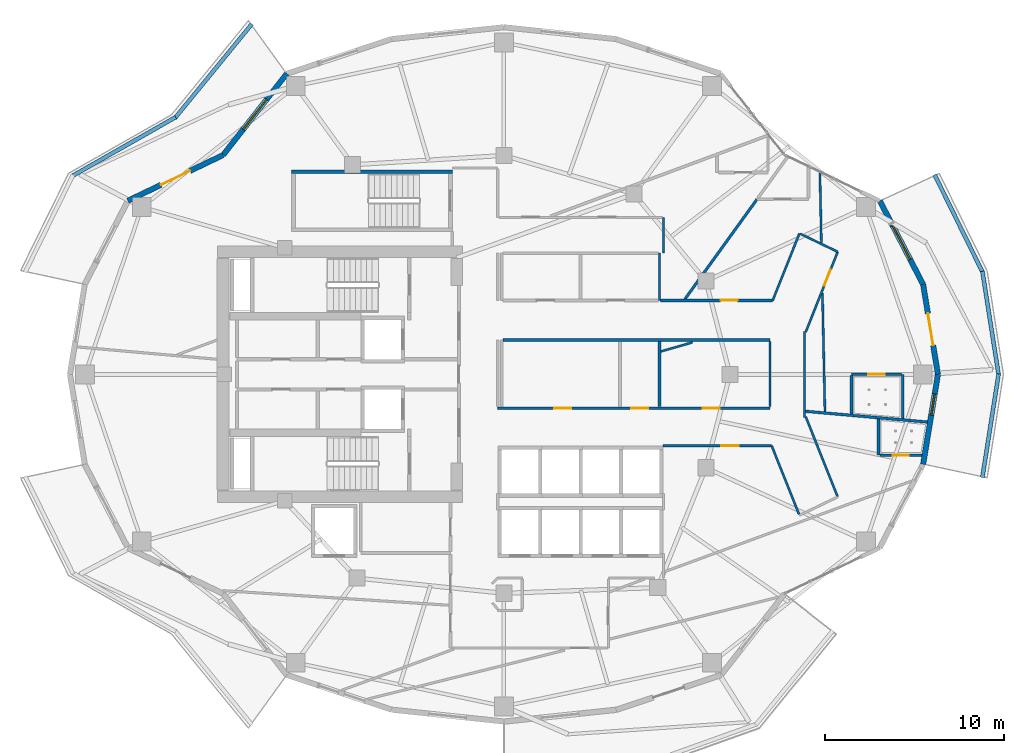
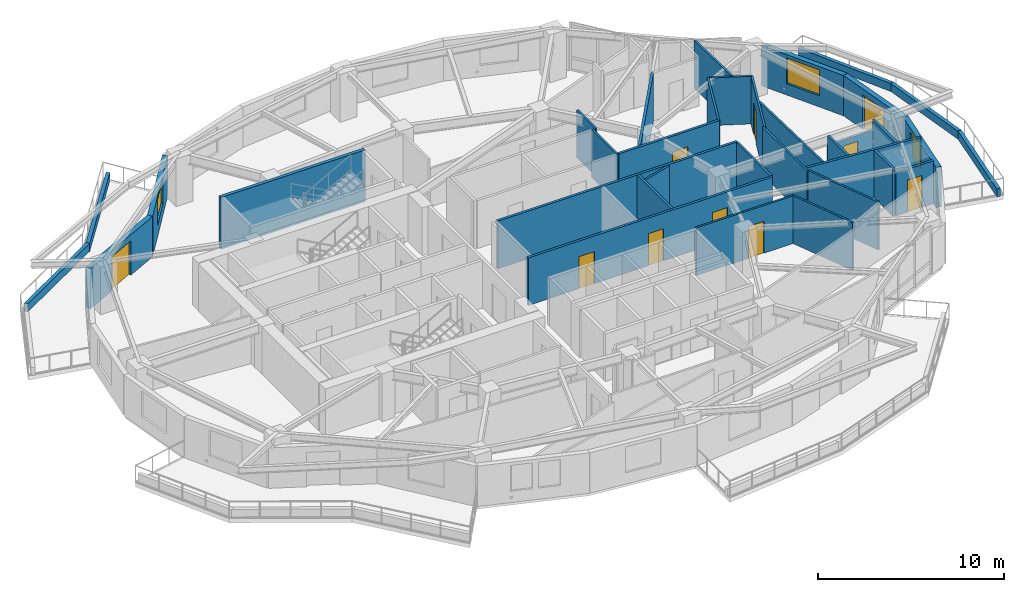
# One storey, part 9 of 15: 35 walls, 10 doors, 3 windows, 13 openings.
"""IFC4 building model written with IfcOpenShell, lengths in metres."""

from ifc_helpers import new_model, si_unit, direction, frame, frame_2d, origin, place, context, subcontext, project, spatial, rectangle, extrude, material, layer, layer_set, type_object, element, fill, save


model = new_model("IFC4")

# Units and contexts
model_context = context("Model", 3, precision=1e-05, world=origin(), true_north=direction((0.0, 1.0)))
body_context = subcontext(model_context, "Body", "Model", "MODEL_VIEW")
ifc_project = project(units=[si_unit("LENGTHUNIT", "METRE"), si_unit("AREAUNIT", "SQUARE_METRE"), si_unit("VOLUMEUNIT", "CUBIC_METRE"), si_unit("PLANEANGLEUNIT", "RADIAN"), si_unit("MASSUNIT", "GRAM", prefix="KILO")], contexts=[model_context])

# Site, building, storey
site_placement = place(None, origin())
site = spatial("IfcSite", under=ifc_project, at=site_placement, CompositionType="ELEMENT")
building_placement = place(site_placement, origin())
building = spatial("IfcBuilding", under=site, at=building_placement, Name="Kolvaren Gate Tower and Convention Centre", CompositionType="ELEMENT")
storey_placement = place(building_placement, frame((0.0, 0.0, 129.10009765625)))
storey = spatial("IfcBuildingStorey", under=building, at=storey_placement, Name="L32", CompositionType="ELEMENT", Elevation=129.10009765625)

# Walls
ifc_material_1 = material(Name="Fire-Rated Acoustic Gypsum Stud Partition", Category="gypsum")
ifc_layer_1 = layer(ifc_material_1, 0.1201171875)
ifc_layer_set_1 = layer_set([ifc_layer_1], Name="Fire-Rated Acoustic Gypsum Stud Partition")
wall_type_1 = type_object("IfcWallType", Name="ARCH-WL-PART-120", PredefinedType="PARTITIONING", material=ifc_layer_set_1)
wall_1_placement = place(storey_placement, frame((38.800048828125, 31.1201171875, 0.0), z_axis=(0.0, 0.0, 1.0), x_axis=(0.0, 1.0, 0.0)))
element("IfcWall", 1, at=wall_1_placement, inside=storey, type_object=wall_type_1, Name="Interior Partition WL-L32-INT-018", PredefinedType="PARTITIONING", context=body_context, shape_type="SweptSolid", body=[
    extrude(rectangle(XDim=2.6298828125, YDim=0.1201171875, at=frame_2d((1.31494140625, 0.0))), origin(), (0.0, 0.0, 1.0), 3.1298828125),
])
wall_2_placement = place(storey_placement, frame((39.02001953125, 33.75, 0.0), z_axis=(0.0, 0.0, 1.0), x_axis=(0.0, 1.0, 0.0)))
element("IfcWall", 2, at=wall_2_placement, inside=storey, type_object=wall_type_1, Name="Interior Partition WL-L32-INT-023", PredefinedType="PARTITIONING", context=body_context, shape_type="SweptSolid", body=[
    extrude(rectangle(XDim=2.0, YDim=0.1201171875, at=frame_2d((1.0, 0.0))), origin(), (0.0, 0.0, 1.0), 3.1298828125),
])
wall_3_placement = place(storey_placement, frame((45.10595703125, 31.1201171875, 0.0), z_axis=(0.0, 0.0, 1.0), x_axis=(0.370123465787, 0.928982572535, 0.0)))
element("IfcWall", 3, at=wall_3_placement, inside=storey, type_object=wall_type_1, Name="Interior Partition WL-L32-INT-035", PredefinedType="PARTITIONING", context=body_context, shape_type="SweptSolid", body=[
    extrude(rectangle(XDim=4.020263671875, YDim=0.1201171875, at=frame_2d((2.01025390625, 0.0))), origin(), (0.0, 0.0, 1.0), 3.1298828125),
])
wall_4_placement = place(storey_placement, frame((46.64990234375, 34.828125, 0.0), z_axis=(0.0, 0.0, 1.0), x_axis=(0.901271525254, -0.433254703109, 0.0)))
element("IfcWall", 4, at=wall_4_placement, inside=storey, type_object=wall_type_1, Name="Interior Partition WL-L32-INT-036", PredefinedType="PARTITIONING", context=body_context, shape_type="SweptSolid", body=[
    extrude(rectangle(XDim=2.3037109375, YDim=0.1201171875, at=frame_2d((1.15185546875, 0.0))), origin(), (0.0, 0.0, 1.0), 3.1298828125),
])

# Wall, opening, door
wall_5_placement = place(storey_placement, frame((46.946044921875, 29.363037109375, 0.0), z_axis=(0.0, 0.0, 1.0), x_axis=(0.370173596818, 0.928962597858, 0.0)))
wall_5 = element("IfcWall", 5, at=wall_5_placement, inside=storey, type_object=wall_type_1, Name="Interior Partition WL-L32-INT-037", PredefinedType="PARTITIONING", context=body_context, shape_type="SweptSolid", body=[
    extrude(rectangle(XDim=4.80859375, YDim=0.1201171875, at=frame_2d((2.404296875, 0.0))), origin(), (0.0, 0.0, 1.0), 3.1298828125),
])
opening_1_placement = place(wall_5_placement, frame((2.788330078125, 0.0, 0.0)))
opening_1 = element("IfcOpeningElement", 6, at=opening_1_placement, cuts=wall_5, Name="Opening DR-01", PredefinedType="OPENING", context=body_context, shape_type="SweptSolid", body=[
    extrude(rectangle(XDim=0.949951171875, YDim=2.10009765625, at=frame_2d((0.47509765625, 1.050048828125))), frame((0.0, 0.070068359375, 0.0), z_axis=(0.0, -1.0, 0.0), x_axis=(1.0, 0.0, 0.0)), (0.0, 0.0, 1.0), 0.14013671875),
])
ifc_material_2 = material(Name="Painted Architectural Steelwork ASTM A500 Grade C 345 MPa", Category="steel")
door_type_1 = type_object("IfcDoorType", Name="ARCH-DR-RISER-950", OperationType="SINGLE_SWING_RIGHT", PredefinedType="DOOR", material=ifc_material_2)
door_1_placement = place(opening_1_placement, origin())
door_1 = element("IfcDoor", 7, at=door_1_placement, inside=storey, type_object=door_type_1, Name="Hotel Guest Room (HTL-L32-07) Door", OperationType="SINGLE_SWING_LEFT", OverallHeight=2.10009765625, OverallWidth=0.949951171875, PredefinedType="DOOR", context=body_context, shape_type="SweptSolid", body=[
    extrude(rectangle(XDim=0.949951171875, YDim=2.10009765625, at=frame_2d((0.47509765625, 1.050048828125))), frame((0.0, 0.02490234375, 0.0), z_axis=(0.0, -1.0, 0.0), x_axis=(1.0, 0.0, 0.0)), (0.0, 0.0, 1.0), 0.050048828125),
])
fill(opening_1, door_1)

# Walls
wall_6_placement = place(storey_placement, frame((46.8701171875, 24.60595703125, 0.0), z_axis=(0.0, 0.0, 1.0), x_axis=(0.0, 1.0, 0.0)))
element("IfcWall", 8, at=wall_6_placement, inside=storey, type_object=wall_type_1, Name="Interior Partition WL-L32-INT-038", PredefinedType="PARTITIONING", context=body_context, shape_type="SweptSolid", body=[
    extrude(rectangle(XDim=4.7880859375, YDim=0.1201171875, at=frame_2d((2.39404296875, 0.0))), origin(), (0.0, 0.0, 1.0), 3.1298828125),
])
wall_7_placement = place(storey_placement, frame((46.946044921875, 24.636962890625, 0.0), z_axis=(0.0, 0.0, 1.0), x_axis=(0.370173596818, -0.928962597858, 0.0)))
element("IfcWall", 9, at=wall_7_placement, inside=storey, type_object=wall_type_1, Name="Interior Partition WL-L32-INT-039", PredefinedType="PARTITIONING", context=body_context, shape_type="SweptSolid", body=[
    extrude(rectangle(XDim=4.80859375, YDim=0.1201171875, at=frame_2d((2.404296875, 0.0))), origin(), (0.0, 0.0, 1.0), 3.1298828125),
])
wall_8_placement = place(storey_placement, frame((45.050048828125, 23.02001953125, 0.0), z_axis=(0.0, 0.0, 1.0), x_axis=(0.370140626192, -0.928975735335, 0.0)))
element("IfcWall", 10, at=wall_8_placement, inside=storey, type_object=wall_type_1, Name="Interior Partition WL-L32-INT-041", PredefinedType="PARTITIONING", context=body_context, shape_type="SweptSolid", body=[
    extrude(rectangle(XDim=4.109130859375, YDim=0.1201171875, at=frame_2d((2.0546875, 0.0))), origin(), (0.0, 0.0, 1.0), 3.1298828125),
])

# Wall, opening, door
wall_9_placement = place(storey_placement, frame((39.0, 23.02001953125, 0.0), z_axis=(0.0, 0.0, 1.0), x_axis=(1.0, 0.0, 0.0)))
wall_9 = element("IfcWall", 11, at=wall_9_placement, inside=storey, type_object=wall_type_1, Name="Interior Partition WL-L32-INT-042", PredefinedType="PARTITIONING", context=body_context, shape_type="SweptSolid", body=[
    extrude(rectangle(XDim=6.050048828125, YDim=0.1201171875, at=frame_2d((3.02490234375, 0.0))), origin(), (0.0, 0.0, 1.0), 3.1298828125),
])
opening_2_placement = place(wall_9_placement, frame((3.25, 0.0, 0.0)))
opening_2 = element("IfcOpeningElement", 12, at=opening_2_placement, cuts=wall_9, Name="Opening DR-01", PredefinedType="OPENING", context=body_context, shape_type="SweptSolid", body=[
    extrude(rectangle(XDim=0.949951171875, YDim=2.10009765625, at=frame_2d((0.47509765625, 1.050048828125))), frame((0.0, 0.070068359375, 0.0), z_axis=(0.0, -1.0, 0.0), x_axis=(1.0, 0.0, 0.0)), (0.0, 0.0, 1.0), 0.14013671875),
])
door_2_placement = place(opening_2_placement, origin())
door_2 = element("IfcDoor", 13, at=door_2_placement, inside=storey, type_object=door_type_1, Name="Hotel Guest Room (HTL-L32-05) Door", OperationType="SINGLE_SWING_LEFT", OverallHeight=2.10009765625, OverallWidth=0.949951171875, PredefinedType="DOOR", context=body_context, shape_type="SweptSolid", body=[
    extrude(rectangle(XDim=0.949951171875, YDim=2.10009765625, at=frame_2d((0.47509765625, 1.050048828125))), frame((0.0, 0.02490234375, 0.0), z_axis=(0.0, -1.0, 0.0), x_axis=(1.0, 0.0, 0.0)), (0.0, 0.0, 1.0), 0.050048828125),
])
fill(opening_2, door_2)

# Walls
wall_10_placement = place(storey_placement, frame((44.949951171875, 25.197021484375, 0.0), z_axis=(0.0, 0.0, 1.0), x_axis=(0.0, 1.0, 0.0)))
element("IfcWall", 14, at=wall_10_placement, inside=storey, type_object=wall_type_1, Name="Interior Partition WL-L32-INT-043", PredefinedType="PARTITIONING", context=body_context, shape_type="SweptSolid", body=[
    extrude(rectangle(XDim=3.64599609375, YDim=0.1201171875, at=frame_2d((1.822998046875, 0.0))), origin(), (0.0, 0.0, 1.0), 3.1298828125),
])
wall_11_placement = place(storey_placement, frame((38.876953125, 28.279052734375, 0.0), z_axis=(0.0, 0.0, 1.0), x_axis=(0.96129187977, 0.275532070524, 0.0)))
element("IfcWall", 15, at=wall_11_placement, inside=storey, type_object=wall_type_1, Name="Interior Partition WL-L32-INT-058", PredefinedType="PARTITIONING", context=body_context, shape_type="SweptSolid", body=[
    extrude(rectangle(XDim=1.828857421875, YDim=0.1201171875, at=frame_2d((0.91455078125, 0.0))), origin(), (0.0, 0.0, 1.0), 3.1298828125),
])
wall_12_placement = place(storey_placement, frame((47.73486328125, 38.252685546875, 0.0), z_axis=(0.0, 0.0, 1.0), x_axis=(0.02106239212, -0.999778163213, 0.0)))
element("IfcWall", 16, at=wall_12_placement, inside=storey, type_object=wall_type_1, Name="Interior Partition WL-L32-INT-062", PredefinedType="PARTITIONING", context=body_context, shape_type="SweptSolid", body=[
    extrude(rectangle(XDim=3.91796875, YDim=0.1201171875, at=frame_2d((1.958984375, 0.0))), origin(), (0.0, 0.0, 1.0), 3.1298828125),
])
wall_13_placement = place(storey_placement, frame((47.876220703125, 31.5302734375, 0.0), z_axis=(0.0, 0.0, 1.0), x_axis=(0.021060407881, -0.999778205013, 0.0)))
element("IfcWall", 17, at=wall_13_placement, inside=storey, type_object=wall_type_1, Name="Interior Partition WL-L32-INT-063", PredefinedType="PARTITIONING", context=body_context, shape_type="SweptSolid", body=[
    extrude(rectangle(XDim=6.607666015625, YDim=0.1201171875, at=frame_2d((3.3037109375, 0.0))), origin(), (0.0, 0.0, 1.0), 3.1298828125),
])
ifc_material_3 = material(Name="Piedmont Cream Honed Limestone Cladding", Category="masonry")
ifc_layer_2 = layer(ifc_material_3, 0.219970703125)
ifc_layer_set_2 = layer_set([ifc_layer_2], Name="Piedmont Cream Honed Limestone Cladding")
wall_type_2 = type_object("IfcWallType", Name="ARCH-WL-PLANTER-220", PredefinedType="PARAPET", material=ifc_layer_set_2)
wall_14_placement = place(storey_placement, frame((11.791015625, 41.274169921875, 0.0), z_axis=(0.0, 0.0, 1.0), x_axis=(0.633024046468, 0.774132131224, 0.0)))
element("IfcWall", 18, at=wall_14_placement, inside=storey, type_object=wall_type_2, Name="Vertical-Forest Balcony Stone Planter Kerb PK-L32-1.1", PredefinedType="PARAPET", context=body_context, shape_type="SweptSolid", body=[
    extrude(rectangle(XDim=6.780517578125, YDim=0.219970703125, at=frame_2d((3.39013671875, 0.0))), origin(), (0.0, 0.0, 1.0), 0.52001953125),
])
wall_15_placement = place(storey_placement, frame((6.095458984375, 38.065673828125, 0.0), z_axis=(0.0, 0.0, 1.0), x_axis=(0.869187658335, 0.494482370361, 0.0)))
element("IfcWall", 19, at=wall_15_placement, inside=storey, type_object=wall_type_2, Name="Vertical-Forest Balcony Stone Planter Kerb PK-L32-1.2", PredefinedType="PARAPET", context=body_context, shape_type="SweptSolid", body=[
    extrude(rectangle(XDim=6.606201171875, YDim=0.219970703125, at=frame_2d((3.30322265625, 0.0))), origin(), (0.0, 0.0, 1.0), 0.52001953125),
])
for number, where, z_axis, x_axis, name in (
    (20, (56.78857421875, 21.254150390625, 0.0), (0.0, 0.0, 1.0), (0.154903030247, 0.987929679289, 0.0), "Vertical-Forest Balcony Stone Planter Kerb PK-L32-4.1"),
    (21, (56.78857421875, 32.745849609375, 0.0), (0.0, 0.0, 1.0), (0.154903030247, -0.987929679289, 0.0), "Vertical-Forest Balcony Stone Planter Kerb PK-L32-4.2"),
):
    element("IfcWall", number, at=place(storey_placement, frame(where, z_axis=z_axis, x_axis=x_axis)), inside=storey, type_object=wall_type_2, Name=name, PredefinedType="PARAPET", context=body_context, shape_type="SweptSolid", body=[
        extrude(rectangle(XDim=5.845703125, YDim=0.219970703125, at=frame_2d((2.9228515625, 0.0))), origin(), (0.0, 0.0, 1.0), 0.52001953125),
    ])
wall_16_placement = place(storey_placement, frame((54.12890625, 38.12158203125, 0.0), z_axis=(0.0, 0.0, 1.0), x_axis=(0.441269631716, -0.897374566235, 0.0)))
element("IfcWall", 22, at=wall_16_placement, inside=storey, type_object=wall_type_2, Name="Vertical-Forest Balcony Stone Planter Kerb PK-L32-4.3", PredefinedType="PARAPET", context=body_context, shape_type="SweptSolid", body=[
    extrude(rectangle(XDim=6.05615234375, YDim=0.219970703125, at=frame_2d((3.028076171875, 0.0))), origin(), (0.0, 0.0, 1.0), 0.52001953125),
])

# Wall, opening, door
ifc_layer_3 = layer(ifc_material_3, 0.300048828125)
ifc_layer_set_3 = layer_set([ifc_layer_3], Name="Piedmont Cream Honed Limestone Cladding")
wall_type_3 = type_object("IfcWallType", Name="ARCH-WL-STONE-300", PredefinedType="SOLIDWALL", material=ifc_layer_set_3)
wall_17_placement = place(storey_placement, frame((53.48828125, 32.008056640625, 0.0), z_axis=(0.0, 0.0, 1.0), x_axis=(0.162393944769, -0.986726003864, 0.0)))
wall_17 = element("IfcWall", 23, at=wall_17_placement, inside=storey, type_object=wall_type_3, Name="Tower L32 Honed Stone Spandrel Wall EW-00", PredefinedType="SOLIDWALL", context=body_context, shape_type="SweptSolid", body=[
    extrude(rectangle(XDim=5.075439453125, YDim=0.300048828125, at=frame_2d((2.53759765625, 0.0))), origin(), (0.0, 0.0, 1.0), 2.65283203125),
])
opening_3_placement = place(wall_17_placement, frame((1.637939453125, 0.0, 0.0)))
opening_3 = element("IfcOpeningElement", 24, at=opening_3_placement, cuts=wall_17, Name="Opening DB-01", PredefinedType="OPENING", context=body_context, shape_type="SweptSolid", body=[
    extrude(rectangle(XDim=1.800048828125, YDim=2.25, at=frame_2d((0.89990234375, 1.125))), frame((0.0, 0.159912109375, 0.0), z_axis=(0.0, -1.0, 0.0), x_axis=(1.0, 0.0, 0.0)), (0.0, 0.0, 1.0), 0.320068359375),
])
ifc_material_4 = material(Name="Anodized Architectural Aluminium Alloy 6063-T6", Category="aluminium")
door_type_2 = type_object("IfcDoorType", Name="ARCH-DR-BALC-1800", OperationType="SLIDING_TO_LEFT", PredefinedType="DOOR", material=ifc_material_4)
door_3_placement = place(opening_3_placement, origin())
door_3 = element("IfcDoor", 25, at=door_3_placement, inside=storey, type_object=door_type_2, Name="Planted Sky Terrace Access Door DB-L32-00", OperationType="SLIDING_TO_LEFT", OverallHeight=2.25, OverallWidth=1.800048828125, PredefinedType="DOOR", context=body_context, shape_type="SweptSolid", body=[
    extrude(rectangle(XDim=1.800048828125, YDim=2.25, at=frame_2d((0.89990234375, 1.125))), frame((0.0, 0.02490234375, 0.0), z_axis=(0.0, -1.0, 0.0), x_axis=(1.0, 0.0, 0.0)), (0.0, 0.0, 1.0), 0.050048828125),
])
fill(opening_3, door_3)

# Wall, opening, window
wall_18_placement = place(storey_placement, frame((51.072021484375, 36.675048828125, 0.0), z_axis=(0.0, 0.0, 1.0), x_axis=(0.459767899643, -0.888039119892, 0.0)))
wall_18 = element("IfcWall", 26, at=wall_18_placement, inside=storey, type_object=wall_type_3, Name="Tower L32 Honed Stone Spandrel Wall EW-01", PredefinedType="SOLIDWALL", context=body_context, shape_type="SweptSolid", body=[
    extrude(rectangle(XDim=5.25537109375, YDim=0.300048828125, at=frame_2d((2.627685546875, 0.0))), origin(), (0.0, 0.0, 1.0), 2.65283203125),
])
opening_4_placement = place(wall_18_placement, frame((1.577880859375, 0.0, 0.739990234375)))
opening_4 = element("IfcOpeningElement", 27, at=opening_4_placement, cuts=wall_18, Name="Opening W-02", PredefinedType="OPENING", context=body_context, shape_type="SweptSolid", body=[
    extrude(rectangle(XDim=2.10009765625, YDim=1.699951171875, at=frame_2d((1.050048828125, 0.85009765625))), frame((0.0, 0.159912109375, 0.0), z_axis=(0.0, -1.0, 0.0), x_axis=(1.0, 0.0, 0.0)), (0.0, 0.0, 1.0), 0.320068359375),
])
ifc_material_5 = material(Name="Low-E Triple Insulated Glazing Unit 44 mm", Category="glass")
window_type_1 = type_object("IfcWindowType", Name="ARCH-WN-HTL-2100", PartitioningType="SINGLE_PANEL", PredefinedType="WINDOW", material=ifc_material_5)
window_1_placement = place(opening_4_placement, origin())
window_1 = element("IfcWindow", 28, at=window_1_placement, inside=storey, type_object=window_type_1, Name="Tower L32 Punched Stone Facade Window W-01", OverallHeight=1.699951171875, OverallWidth=2.10009765625, PartitioningType="SINGLE_PANEL", PredefinedType="WINDOW", context=body_context, shape_type="SweptSolid", body=[
    extrude(rectangle(XDim=2.10009765625, YDim=1.699951171875, at=frame_2d((1.050048828125, 0.85009765625))), frame((0.0, 0.030029296875, 0.0), z_axis=(0.0, -1.0, 0.0), x_axis=(1.0, 0.0, 0.0)), (0.0, 0.0, 1.0), 0.06005859375),
])
fill(opening_4, window_1)

wall_19_placement = place(storey_placement, frame((14.481201171875, 39.222900390625, 0.0), z_axis=(0.0, 0.0, 1.0), x_axis=(0.616435134162, 0.787405693001, 0.0)))
wall_19 = element("IfcWall", 29, at=wall_19_placement, inside=storey, type_object=wall_type_3, Name="Tower L32 Honed Stone Spandrel Wall EW-08", PredefinedType="SOLIDWALL", context=body_context, shape_type="SweptSolid", body=[
    extrude(rectangle(XDim=5.759033203125, YDim=0.300048828125, at=frame_2d((2.87939453125, 0.0))), origin(), (0.0, 0.0, 1.0), 2.65283203125),
])
opening_5_placement = place(wall_19_placement, frame((1.8291015625, 0.0, 0.739990234375)))
opening_5 = element("IfcOpeningElement", 30, at=opening_5_placement, cuts=wall_19, Name="Opening W-02", PredefinedType="OPENING", context=body_context, shape_type="SweptSolid", body=[
    extrude(rectangle(XDim=2.10009765625, YDim=1.699951171875, at=frame_2d((1.050048828125, 0.85009765625))), frame((0.0, 0.159912109375, 0.0), z_axis=(0.0, -1.0, 0.0), x_axis=(1.0, 0.0, 0.0)), (0.0, 0.0, 1.0), 0.320068359375),
])
window_2_placement = place(opening_5_placement, origin())
window_2 = element("IfcWindow", 31, at=window_2_placement, inside=storey, type_object=window_type_1, Name="Tower L32 Punched Stone Facade Window W-08", OverallHeight=1.699951171875, OverallWidth=2.10009765625, PartitioningType="SINGLE_PANEL", PredefinedType="WINDOW", context=body_context, shape_type="SweptSolid", body=[
    extrude(rectangle(XDim=2.10009765625, YDim=1.699951171875, at=frame_2d((1.050048828125, 0.85009765625))), frame((0.0, 0.030029296875, 0.0), z_axis=(0.0, -1.0, 0.0), x_axis=(1.0, 0.0, 0.0)), (0.0, 0.0, 1.0), 0.06005859375),
])
fill(opening_5, window_2)

# Wall, opening, door
wall_20_placement = place(storey_placement, frame((9.177978515625, 36.675048828125, 0.0), z_axis=(0.0, 0.0, 1.0), x_axis=(0.901370184739, 0.433049408339, 0.0)))
wall_20 = element("IfcWall", 32, at=wall_20_placement, inside=storey, type_object=wall_type_3, Name="Tower L32 Honed Stone Spandrel Wall EW-09", PredefinedType="SOLIDWALL", context=body_context, shape_type="SweptSolid", body=[
    extrude(rectangle(XDim=5.883544921875, YDim=0.300048828125, at=frame_2d((2.94189453125, 0.0))), origin(), (0.0, 0.0, 1.0), 2.65283203125),
])
opening_6_placement = place(wall_20_placement, frame((2.0419921875, 0.0, 0.0)))
opening_6 = element("IfcOpeningElement", 33, at=opening_6_placement, cuts=wall_20, Name="Opening DB-01", PredefinedType="OPENING", context=body_context, shape_type="SweptSolid", body=[
    extrude(rectangle(XDim=1.800048828125, YDim=2.25, at=frame_2d((0.89990234375, 1.125))), frame((0.0, 0.159912109375, 0.0), z_axis=(0.0, -1.0, 0.0), x_axis=(1.0, 0.0, 0.0)), (0.0, 0.0, 1.0), 0.320068359375),
])
door_4_placement = place(opening_6_placement, origin())
door_4 = element("IfcDoor", 34, at=door_4_placement, inside=storey, type_object=door_type_2, Name="Planted Sky Terrace Access Door DB-L32-09", OperationType="SLIDING_TO_LEFT", OverallHeight=2.25, OverallWidth=1.800048828125, PredefinedType="DOOR", context=body_context, shape_type="SweptSolid", body=[
    extrude(rectangle(XDim=1.800048828125, YDim=2.25, at=frame_2d((0.89990234375, 1.125))), frame((0.0, 0.02490234375, 0.0), z_axis=(0.0, -1.0, 0.0), x_axis=(1.0, 0.0, 0.0)), (0.0, 0.0, 1.0), 0.050048828125),
])
fill(opening_6, door_4)

# Wall, opening, window
wall_21_placement = place(storey_placement, frame((53.48828125, 21.991943359375, 0.0), z_axis=(0.0, 0.0, 1.0), x_axis=(0.162393944769, 0.986726003864, 0.0)))
wall_21 = element("IfcWall", 35, at=wall_21_placement, inside=storey, type_object=wall_type_3, Name="Tower L32 Honed Stone Spandrel Wall EW-23", PredefinedType="SOLIDWALL", context=body_context, shape_type="SweptSolid", body=[
    extrude(rectangle(XDim=5.075439453125, YDim=0.300048828125, at=frame_2d((2.53759765625, 0.0))), origin(), (0.0, 0.0, 1.0), 2.65283203125),
])
opening_7_placement = place(wall_21_placement, frame((2.780029296875, 0.0, 0.719970703125)))
opening_7 = element("IfcOpeningElement", 36, at=opening_7_placement, cuts=wall_21, Name="Opening W-04", PredefinedType="OPENING", context=body_context, shape_type="SweptSolid", body=[
    extrude(rectangle(XDim=1.199951171875, YDim=1.64990234375, at=frame_2d((0.60009765625, 0.824951171875))), frame((0.0, 0.159912109375, 0.0), z_axis=(0.0, -1.0, 0.0), x_axis=(1.0, 0.0, 0.0)), (0.0, 0.0, 1.0), 0.320068359375),
])
window_type_2 = type_object("IfcWindowType", Name="ARCH-WN-NARROW-1200", PartitioningType="SINGLE_PANEL", PredefinedType="WINDOW", material=ifc_material_5)
window_3_placement = place(opening_7_placement, origin())
window_3 = element("IfcWindow", 37, at=window_3_placement, inside=storey, type_object=window_type_2, Name="Tower L32 Punched Stone Facade Window W-23", OverallHeight=1.64990234375, OverallWidth=1.199951171875, PartitioningType="SINGLE_PANEL", PredefinedType="WINDOW", context=body_context, shape_type="SweptSolid", body=[
    extrude(rectangle(XDim=1.199951171875, YDim=1.64990234375, at=frame_2d((0.60009765625, 0.824951171875))), frame((0.0, 0.030029296875, 0.0), z_axis=(0.0, -1.0, 0.0), x_axis=(1.0, 0.0, 0.0)), (0.0, 0.0, 1.0), 0.06005859375),
])
fill(opening_7, window_3)

# Wall, openings, doors
ifc_material_6 = material(Name="Moisture-Resistant Cement-Board Acoustic Partition", Category="gypsum")
ifc_layer_4 = layer(ifc_material_6, 0.14990234375)
ifc_layer_set_4 = layer_set([ifc_layer_4], Name="Moisture-Resistant Cement-Board Acoustic Partition")
wall_type_4 = type_object("IfcWallType", Name="ARCH-WL-WET-150", PredefinedType="PARTITIONING", material=ifc_layer_set_4)
wall_22_placement = place(storey_placement, frame((29.780029296875, 25.1201171875, 0.0), z_axis=(0.0, 0.0, 1.0), x_axis=(1.0, 0.0, 0.0)))
wall_22 = element("IfcWall", 38, at=wall_22_placement, inside=storey, type_object=wall_type_4, Name="Interior Partition WL-L32-INT-012", PredefinedType="PARTITIONING", context=body_context, shape_type="SweptSolid", body=[
    extrude(rectangle(XDim=15.169921875, YDim=0.14990234375, at=frame_2d((7.5849609375, 0.0))), origin(), (0.0, 0.0, 1.0), 3.1298828125),
])
opening_8_placement = place(wall_22_placement, frame((3.139892578125, 0.0, 0.0)))
opening_8 = element("IfcOpeningElement", 39, at=opening_8_placement, cuts=wall_22, Name="Opening DR-01", PredefinedType="OPENING", context=body_context, shape_type="SweptSolid", body=[
    extrude(rectangle(XDim=0.949951171875, YDim=2.10009765625, at=frame_2d((0.47509765625, 1.050048828125))), frame((0.0, 0.0849609375, 0.0), z_axis=(0.0, -1.0, 0.0), x_axis=(1.0, 0.0, 0.0)), (0.0, 0.0, 1.0), 0.169921875),
])
opening_9_placement = place(wall_22_placement, frame((7.445068359375, 0.0, 0.0)))
opening_9 = element("IfcOpeningElement", 40, at=opening_9_placement, cuts=wall_22, Name="Opening DR-01", PredefinedType="OPENING", context=body_context, shape_type="SweptSolid", body=[
    extrude(rectangle(XDim=0.949951171875, YDim=2.10009765625, at=frame_2d((0.47509765625, 1.050048828125))), frame((0.0, 0.0849609375, 0.0), z_axis=(0.0, -1.0, 0.0), x_axis=(1.0, 0.0, 0.0)), (0.0, 0.0, 1.0), 0.169921875),
])
opening_10_placement = place(wall_22_placement, frame((11.4150390625, 0.0, 0.0)))
opening_10 = element("IfcOpeningElement", 41, at=opening_10_placement, cuts=wall_22, Name="Opening DR-01", PredefinedType="OPENING", context=body_context, shape_type="SweptSolid", body=[
    extrude(rectangle(XDim=0.949951171875, YDim=2.10009765625, at=frame_2d((0.47509765625, 1.050048828125))), frame((0.0, 0.0849609375, 0.0), z_axis=(0.0, -1.0, 0.0), x_axis=(1.0, 0.0, 0.0)), (0.0, 0.0, 1.0), 0.169921875),
])
door_5_placement = place(opening_8_placement, origin())
door_5 = element("IfcDoor", 42, at=door_5_placement, inside=storey, type_object=door_type_1, Name="Accessible Universal Washroom Door", OperationType="SINGLE_SWING_LEFT", OverallHeight=2.10009765625, OverallWidth=0.949951171875, PredefinedType="DOOR", context=body_context, shape_type="SweptSolid", body=[
    extrude(rectangle(XDim=0.949951171875, YDim=2.10009765625, at=frame_2d((0.47509765625, 1.050048828125))), frame((0.0, 0.02490234375, 0.0), z_axis=(0.0, -1.0, 0.0), x_axis=(1.0, 0.0, 0.0)), (0.0, 0.0, 1.0), 0.050048828125),
])
fill(opening_8, door_5)
door_6_placement = place(opening_9_placement, origin())
door_6 = element("IfcDoor", 43, at=door_6_placement, inside=storey, type_object=door_type_1, Name="Hotel Housekeeping and Linen Store Door", OperationType="SINGLE_SWING_RIGHT", OverallHeight=2.10009765625, OverallWidth=0.949951171875, PredefinedType="DOOR", context=body_context, shape_type="SweptSolid", body=[
    extrude(rectangle(XDim=0.949951171875, YDim=2.10009765625, at=frame_2d((0.47509765625, 1.050048828125))), frame((0.0, 0.02490234375, 0.0), z_axis=(0.0, -1.0, 0.0), x_axis=(1.0, 0.0, 0.0)), (0.0, 0.0, 1.0), 0.050048828125),
])
fill(opening_9, door_6)
door_7_placement = place(opening_10_placement, origin())
door_7 = element("IfcDoor", 44, at=door_7_placement, inside=storey, type_object=door_type_1, Name="Hotel Botanical Clubroom Door", OperationType="SINGLE_SWING_RIGHT", OverallHeight=2.10009765625, OverallWidth=0.949951171875, PredefinedType="DOOR", context=body_context, shape_type="SweptSolid", body=[
    extrude(rectangle(XDim=0.949951171875, YDim=2.10009765625, at=frame_2d((0.47509765625, 1.050048828125))), frame((0.0, 0.02490234375, 0.0), z_axis=(0.0, -1.0, 0.0), x_axis=(1.0, 0.0, 0.0)), (0.0, 0.0, 1.0), 0.050048828125),
])
fill(opening_10, door_7)

# Walls
wall_23_placement = place(storey_placement, frame((30.076904296875, 28.919921875, 0.0), z_axis=(0.0, 0.0, 1.0), x_axis=(1.0, 0.0, 0.0)))
element("IfcWall", 45, at=wall_23_placement, inside=storey, type_object=wall_type_4, Name="Interior Partition WL-L32-INT-015", PredefinedType="PARTITIONING", context=body_context, shape_type="SweptSolid", body=[
    extrude(rectangle(XDim=14.873046875, YDim=0.14990234375, at=frame_2d((7.4365234375, 0.0))), origin(), (0.0, 0.0, 1.0), 3.1298828125),
])
wall_24_placement = place(storey_placement, frame((38.800048828125, 25.197021484375, 0.0), z_axis=(0.0, 0.0, 1.0), x_axis=(0.0, 1.0, 0.0)))
element("IfcWall", 46, at=wall_24_placement, inside=storey, type_object=wall_type_4, Name="Interior Partition WL-L32-INT-017", PredefinedType="PARTITIONING", context=body_context, shape_type="SweptSolid", body=[
    extrude(rectangle(XDim=3.64599609375, YDim=0.14990234375, at=frame_2d((1.822998046875, 0.0))), origin(), (0.0, 0.0, 1.0), 3.1298828125),
])

# Wall, opening, door
wall_25_placement = place(storey_placement, frame((38.862060546875, 31.1201171875, 0.0), z_axis=(0.0, 0.0, 1.0), x_axis=(1.0, 0.0, 0.0)))
wall_25 = element("IfcWall", 47, at=wall_25_placement, inside=storey, type_object=wall_type_4, Name="Interior Partition WL-L32-INT-019 (2)", PredefinedType="PARTITIONING", context=body_context, shape_type="SweptSolid", body=[
    extrude(rectangle(XDim=6.243896484375, YDim=0.14990234375, at=frame_2d((3.1220703125, 0.0))), origin(), (0.0, 0.0, 1.0), 3.1298828125),
])
opening_11_placement = place(wall_25_placement, frame((3.343505859375, 0.0, 0.0)))
opening_11 = element("IfcOpeningElement", 48, at=opening_11_placement, cuts=wall_25, Name="Opening DR-01", PredefinedType="OPENING", context=body_context, shape_type="SweptSolid", body=[
    extrude(rectangle(XDim=0.949951171875, YDim=2.10009765625, at=frame_2d((0.47509765625, 1.050048828125))), frame((0.0, 0.0849609375, 0.0), z_axis=(0.0, -1.0, 0.0), x_axis=(1.0, 0.0, 0.0)), (0.0, 0.0, 1.0), 0.169921875),
])
door_8_placement = place(opening_11_placement, origin())
door_8 = element("IfcDoor", 49, at=door_8_placement, inside=storey, type_object=door_type_1, Name="Hotel Guest Room (HTL-L32-08) Door", OperationType="SINGLE_SWING_RIGHT", OverallHeight=2.10009765625, OverallWidth=0.949951171875, PredefinedType="DOOR", context=body_context, shape_type="SweptSolid", body=[
    extrude(rectangle(XDim=0.949951171875, YDim=2.10009765625, at=frame_2d((0.47509765625, 1.050048828125))), frame((0.0, 0.02490234375, 0.0), z_axis=(0.0, -1.0, 0.0), x_axis=(1.0, 0.0, 0.0)), (0.0, 0.0, 1.0), 0.050048828125),
])
fill(opening_11, door_8)

# Walls
wall_26_placement = place(storey_placement, frame((46.931884765625, 24.9423828125, 0.0), z_axis=(0.0, 0.0, 1.0), x_axis=(0.996119604576, -0.088009848195, 0.0)))
element("IfcWall", 50, at=wall_26_placement, inside=storey, type_object=wall_type_4, Name="Interior Partition WL-L32-INT-049", PredefinedType="PARTITIONING", context=body_context, shape_type="SweptSolid", body=[
    extrude(rectangle(XDim=6.815673828125, YDim=0.14990234375, at=frame_2d((3.40771484375, 0.0))), origin(), (0.0, 0.0, 1.0), 3.1298828125),
])
wall_27_placement = place(storey_placement, frame((51.0, 22.5, 0.0), z_axis=(0.0, 0.0, 1.0), x_axis=(0.0, 1.0, 0.0)))
element("IfcWall", 51, at=wall_27_placement, inside=storey, type_object=wall_type_4, Name="Interior Partition WL-L32-INT-056", PredefinedType="PARTITIONING", context=body_context, shape_type="SweptSolid", body=[
    extrude(rectangle(XDim=2.005615234375, YDim=0.14990234375, at=frame_2d((1.0029296875, 0.0))), origin(), (0.0, 0.0, 1.0), 3.1298828125),
])

# Wall, opening, door
wall_28_placement = place(storey_placement, frame((51.076904296875, 22.5, 0.0), z_axis=(0.0, 0.0, 1.0), x_axis=(1.0, 0.0, 0.0)))
wall_28 = element("IfcWall", 52, at=wall_28_placement, inside=storey, type_object=wall_type_4, Name="Interior Partition WL-L32-INT-057", PredefinedType="PARTITIONING", context=body_context, shape_type="SweptSolid", body=[
    extrude(rectangle(XDim=2.341064453125, YDim=0.14990234375, at=frame_2d((1.17041015625, 0.0))), origin(), (0.0, 0.0, 1.0), 2.81201171875),
])
opening_12_placement = place(wall_28_placement, frame((0.720458984375, 0.0, 0.0)))
opening_12 = element("IfcOpeningElement", 53, at=opening_12_placement, cuts=wall_28, Name="Opening DW-01", PredefinedType="OPENING", context=body_context, shape_type="SweptSolid", body=[
    extrude(rectangle(XDim=0.89990234375, YDim=2.10009765625, at=frame_2d((0.449951171875, 1.050048828125))), frame((0.0, 0.0849609375, 0.0), z_axis=(0.0, -1.0, 0.0), x_axis=(1.0, 0.0, 0.0)), (0.0, 0.0, 1.0), 0.169921875),
])
ifc_material_7 = material(Name="FSC Andean Oak Engineered Veneer Door Leaf", Category="wood")
door_type_3 = type_object("IfcDoorType", Name="ARCH-DR-WC-900", OperationType="SINGLE_SWING_RIGHT", PredefinedType="DOOR", material=ifc_material_7)
door_9_placement = place(opening_12_placement, origin())
door_9 = element("IfcDoor", 54, at=door_9_placement, inside=storey, type_object=door_type_3, Name="En-suite Bathroom (HTL-L32-05) Door", OperationType="SINGLE_SWING_LEFT", OverallHeight=2.10009765625, OverallWidth=0.89990234375, PredefinedType="DOOR", context=body_context, shape_type="SweptSolid", body=[
    extrude(rectangle(XDim=0.89990234375, YDim=2.10009765625, at=frame_2d((0.449951171875, 1.050048828125))), frame((0.0, 0.02490234375, 0.0), z_axis=(0.0, -1.0, 0.0), x_axis=(1.0, 0.0, 0.0)), (0.0, 0.0, 1.0), 0.050048828125),
])
fill(opening_12, door_9)

# Wall
wall_29_placement = place(storey_placement, frame((52.35009765625, 24.541015625, 0.0), z_axis=(0.0, 0.0, 1.0), x_axis=(0.0, 1.0, 0.0)))
element("IfcWall", 55, at=wall_29_placement, inside=storey, type_object=wall_type_4, Name="Interior Partition WL-L32-INT-059", PredefinedType="PARTITIONING", context=body_context, shape_type="SweptSolid", body=[
    extrude(rectangle(XDim=2.4609375, YDim=0.14990234375, at=frame_2d((1.23046875, 0.0))), origin(), (0.0, 0.0, 1.0), 3.1298828125),
])

# Wall, opening, door
wall_30_placement = place(storey_placement, frame((49.5, 27.001953125, 0.0), z_axis=(0.0, 0.0, 1.0), x_axis=(1.0, 0.0, 0.0)))
wall_30 = element("IfcWall", 56, at=wall_30_placement, inside=storey, type_object=wall_type_4, Name="Interior Partition WL-L32-INT-060", PredefinedType="PARTITIONING", context=body_context, shape_type="SweptSolid", body=[
    extrude(rectangle(XDim=2.77294921875, YDim=0.14990234375, at=frame_2d((1.386474609375, 0.0))), origin(), (0.0, 0.0, 1.0), 2.5048828125),
])
opening_13_placement = place(wall_30_placement, frame((0.9365234375, 0.0, 0.0)))
opening_13 = element("IfcOpeningElement", 57, at=opening_13_placement, cuts=wall_30, Name="Opening DW-01", PredefinedType="OPENING", context=body_context, shape_type="SweptSolid", body=[
    extrude(rectangle(XDim=0.89990234375, YDim=2.10009765625, at=frame_2d((0.449951171875, 1.050048828125))), frame((0.0, 0.0849609375, 0.0), z_axis=(0.0, -1.0, 0.0), x_axis=(1.0, 0.0, 0.0)), (0.0, 0.0, 1.0), 0.169921875),
])
door_10_placement = place(opening_13_placement, origin())
door_10 = element("IfcDoor", 58, at=door_10_placement, inside=storey, type_object=door_type_3, Name="En-suite Bathroom (HTL-L32-07) Door", OperationType="SINGLE_SWING_RIGHT", OverallHeight=2.10009765625, OverallWidth=0.89990234375, PredefinedType="DOOR", context=body_context, shape_type="SweptSolid", body=[
    extrude(rectangle(XDim=0.89990234375, YDim=2.10009765625, at=frame_2d((0.449951171875, 1.050048828125))), frame((0.0, 0.02490234375, 0.0), z_axis=(0.0, -1.0, 0.0), x_axis=(1.0, 0.0, 0.0)), (0.0, 0.0, 1.0), 0.050048828125),
])
fill(opening_13, door_10)

# Walls
wall_31_placement = place(storey_placement, frame((49.5, 24.792724609375, 0.0), z_axis=(0.0, 0.0, 1.0), x_axis=(0.0, 1.0, 0.0)))
element("IfcWall", 59, at=wall_31_placement, inside=storey, type_object=wall_type_4, Name="Interior Partition WL-L32-INT-061", PredefinedType="PARTITIONING", context=body_context, shape_type="SweptSolid", body=[
    extrude(rectangle(XDim=2.13232421875, YDim=0.14990234375, at=frame_2d((1.066162109375, 0.0))), origin(), (0.0, 0.0, 1.0), 3.1298828125),
])
wall_32_placement = place(storey_placement, frame((40.216552734375, 31.197021484375, 0.0), z_axis=(0.0, 0.0, 1.0), x_axis=(0.585304416837, 0.810813628173, 0.0)))
element("IfcWall", 60, at=wall_32_placement, inside=storey, type_object=wall_type_4, Name="Interior Partition WL-L32-INT-066", PredefinedType="PARTITIONING", context=body_context, shape_type="SweptSolid", body=[
    extrude(rectangle(XDim=6.8486328125, YDim=0.14990234375, at=frame_2d((3.42431640625, 0.0))), origin(), (0.0, 0.0, 1.0), 3.1298828125),
])
ifc_material_8 = material(Name="Concrete C50/60", Category="concrete")
ifc_layer_5 = layer(ifc_material_8, 0.199951171875)
ifc_layer_set_5 = layer_set([ifc_layer_5], Name="Concrete C50/60")
wall_type_5 = type_object("IfcWallType", Name="STR-WL-SHAFT-200", PredefinedType="SHEAR", material=ifc_layer_set_5)
wall_33_placement = place(storey_placement, frame((18.300048828125, 38.300048828125, -0.27001953125), z_axis=(0.0, 0.0, 1.0), x_axis=(1.0, 0.0, 0.0)))
element("IfcWall", 61, at=wall_33_placement, inside=storey, type_object=wall_type_5, Name="Tower Mid-Zone Exit Stair ST-T3 L32 Structural Shear Enclosure Wall LEFT", PredefinedType="SHEAR", context=body_context, shape_type="SweptSolid", body=[
    extrude(rectangle(XDim=8.949951171875, YDim=0.199951171875, at=frame_2d((4.47509765625, 0.0))), origin(), (0.0, 0.0, 1.0), 3.39990234375),
])

save(model, "model.ifc")
